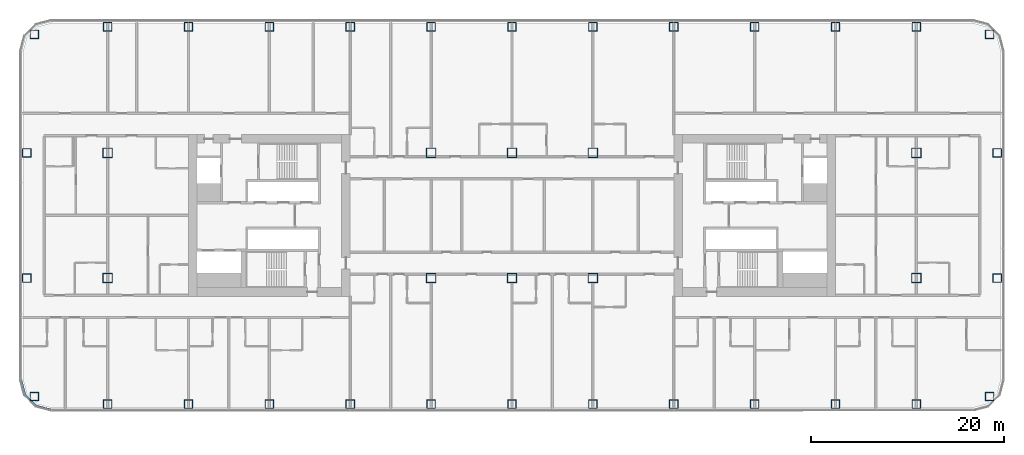
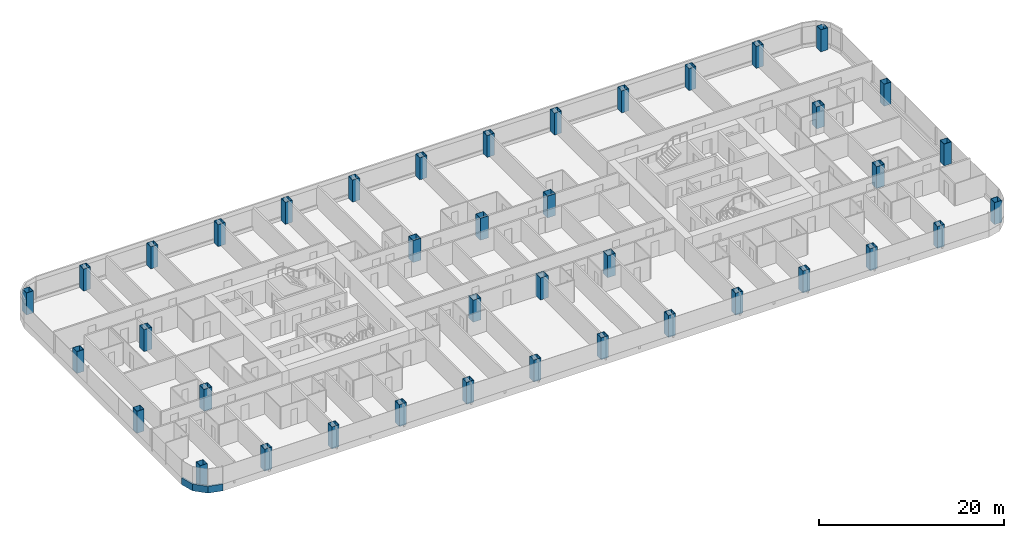
# One storey, part 1 of 29: 40 columns, 1 member, 1 element without a shape of its own.
"""IFC4 building model written with IfcOpenShell, lengths in metres."""

from ifc_helpers import new_model, si_unit, direction, frame, origin, origin_2d, place, context, subcontext, project, spatial, polyline, rectangle, hollow_rectangle, outline, extrude, material, layer, layer_set, material_profile, profile_set, type_object, element, aggregate, save


model = new_model("IFC4")

# Units and contexts
model_context = context("Model", 3, precision=1e-05, world=origin(), true_north=direction((0.0, 1.0)))
body_context = subcontext(model_context, "Body", "Model", "MODEL_VIEW")
ifc_project = project(units=[si_unit("LENGTHUNIT", "METRE"), si_unit("AREAUNIT", "SQUARE_METRE"), si_unit("VOLUMEUNIT", "CUBIC_METRE"), si_unit("PLANEANGLEUNIT", "RADIAN"), si_unit("MASSUNIT", "GRAM", prefix="KILO")], contexts=[model_context])

# Site, building, storey
site_placement = place(None, origin())
site = spatial("IfcSite", under=ifc_project, at=site_placement, CompositionType="ELEMENT")
building_placement = place(site_placement, origin())
building = spatial("IfcBuilding", under=site, at=building_placement, Name="Hakoniwa Tower and Hamabe Station Hall", CompositionType="ELEMENT")
storey_placement = place(building_placement, frame((0.0, 0.0, 61.39990234375)))
storey = spatial("IfcBuildingStorey", under=building, at=storey_placement, Name="L17", CompositionType="ELEMENT", Elevation=61.39990234375)

# Columns
ifc_material_1 = material(Name="Steel SN490C", Category="steel")
ifc_material_profile_1 = material_profile(ifc_material_1, hollow_rectangle(XDim=1.0, YDim=1.0, WallThickness=0.0400390625, at=origin_2d()), Name="BX-1000x1000x40")
ifc_profile_set_1 = profile_set([ifc_material_profile_1], Name="Steel SN490C")
column_type_1 = type_object("IfcColumnType", Name="COLUMN BX-1000x1000x40", PredefinedType="COLUMN", material=ifc_profile_set_1)
for number, where, z_axis, x_axis, name in (
    (1, (-42.0, -6.5, 0.0), (0.0, 0.0, 1.0), (1.0, 0.0, 0.0), "Column B1-2-C1"),
    (2, (-42.0, 6.5, 0.0), (0.0, 0.0, 1.0), (1.0, 0.0, 0.0), "Column B1-2-E1"),
    (3, (-8.39990234375, -6.5, 0.0), (0.0, 0.0, 1.0), (1.0, 0.0, 0.0), "Column B1-6-C1"),
    (4, (-8.39990234375, 6.5, 0.0), (0.0, 0.0, 1.0), (1.0, 0.0, 0.0), "Column B1-6-E1"),
    (5, (0.0, -6.5, 0.0), (0.0, 0.0, 1.0), (1.0, 0.0, 0.0), "Column B1-7-C1"),
    (6, (0.0, 6.5, 0.0), (0.0, 0.0, 1.0), (1.0, 0.0, 0.0), "Column B1-7-E1"),
    (7, (8.39990234375, -6.5, 0.0), (0.0, 0.0, 1.0), (1.0, 0.0, 0.0), "Column B1-8-C1"),
    (8, (8.39990234375, 6.5, 0.0), (0.0, 0.0, 1.0), (1.0, 0.0, 0.0), "Column B1-8-E1"),
    (9, (42.0, -6.5, 0.0), (0.0, 0.0, 1.0), (1.0, 0.0, 0.0), "Column B1-12-C1"),
    (10, (42.0, 6.5, 0.0), (0.0, 0.0, 1.0), (1.0, 0.0, 0.0), "Column B1-12-E1"),
):
    element("IfcColumn", number, at=place(storey_placement, frame(where, z_axis=z_axis, x_axis=x_axis)), inside=storey, type_object=column_type_1, Name=name, PredefinedType="COLUMN", context=body_context, shape_type="SweptSolid", body=[
        extrude(hollow_rectangle(XDim=1.0, YDim=1.0, WallThickness=0.0400390625, at=origin_2d()), origin(), (0.0, 0.0, 1.0), 2.900146484375),
    ])
ifc_material_2 = material(Name="Steel SN490C", Category="steel")
ifc_material_profile_2 = material_profile(ifc_material_2, hollow_rectangle(XDim=0.89990234375, YDim=0.89990234375, WallThickness=0.035888671875, at=origin_2d()), Name="BX-900x900x36")
ifc_profile_set_2 = profile_set([ifc_material_profile_2], Name="Steel SN490C")
column_type_2 = type_object("IfcColumnType", Name="COLUMN BX-900x900x36", PredefinedType="COLUMN", material=ifc_profile_set_2)
for number, where, z_axis, x_axis, name in (
    (11, (-49.60302734375, -18.802978515625, 0.0), (0.0, 0.0, 1.0), (1.0, 0.0, 0.0), "Column B1-1-A1"),
    (12, (-50.39990234375, -6.5, 0.0), (0.0, 0.0, 1.0), (1.0, 0.0, 0.0), "Column B1-1-C1"),
    (13, (-50.39990234375, 6.5, 0.0), (0.0, 0.0, 1.0), (1.0, 0.0, 0.0), "Column B1-1-E1"),
    (14, (-49.60302734375, 18.802978515625, 0.0), (0.0, 0.0, 1.0), (1.0, 0.0, 0.0), "Column B1-1-G1"),
    (15, (-42.0, -19.60009765625, 0.0), (0.0, 0.0, 1.0), (1.0, 0.0, 0.0), "Column B1-2-A1"),
    (16, (-42.0, 19.60009765625, 0.0), (0.0, 0.0, 1.0), (1.0, 0.0, 0.0), "Column B1-2-G1"),
    (17, (-33.60009765625, -19.60009765625, 0.0), (0.0, 0.0, 1.0), (1.0, 0.0, 0.0), "Column B1-3-A1"),
    (18, (-33.60009765625, 19.60009765625, 0.0), (0.0, 0.0, 1.0), (1.0, 0.0, 0.0), "Column B1-3-G1"),
    (19, (-25.199951171875, -19.60009765625, 0.0), (0.0, 0.0, 1.0), (1.0, 0.0, 0.0), "Column B1-4-A1"),
    (20, (-25.199951171875, 19.60009765625, 0.0), (0.0, 0.0, 1.0), (1.0, 0.0, 0.0), "Column B1-4-G1"),
    (21, (-16.800048828125, -19.60009765625, 0.0), (0.0, 0.0, 1.0), (1.0, 0.0, 0.0), "Column B1-5-A1"),
    (22, (-16.800048828125, 19.60009765625, 0.0), (0.0, 0.0, 1.0), (1.0, 0.0, 0.0), "Column B1-5-G1"),
    (23, (-8.39990234375, -19.60009765625, 0.0), (0.0, 0.0, 1.0), (1.0, 0.0, 0.0), "Column B1-6-A1"),
    (24, (-8.39990234375, 19.60009765625, 0.0), (0.0, 0.0, 1.0), (1.0, 0.0, 0.0), "Column B1-6-G1"),
    (25, (0.0, -19.60009765625, 0.0), (0.0, 0.0, 1.0), (1.0, 0.0, 0.0), "Column B1-7-A1"),
    (26, (0.0, 19.60009765625, 0.0), (0.0, 0.0, 1.0), (1.0, 0.0, 0.0), "Column B1-7-G1"),
    (27, (8.39990234375, -19.60009765625, 0.0), (0.0, 0.0, 1.0), (1.0, 0.0, 0.0), "Column B1-8-A1"),
    (28, (8.39990234375, 19.60009765625, 0.0), (0.0, 0.0, 1.0), (1.0, 0.0, 0.0), "Column B1-8-G1"),
    (29, (16.800048828125, -19.60009765625, 0.0), (0.0, 0.0, 1.0), (1.0, 0.0, 0.0), "Column B1-9-A1"),
    (30, (16.800048828125, 19.60009765625, 0.0), (0.0, 0.0, 1.0), (1.0, 0.0, 0.0), "Column B1-9-G1"),
    (31, (25.199951171875, -19.60009765625, 0.0), (0.0, 0.0, 1.0), (1.0, 0.0, 0.0), "Column B1-10-A1"),
    (32, (25.199951171875, 19.60009765625, 0.0), (0.0, 0.0, 1.0), (1.0, 0.0, 0.0), "Column B1-10-G1"),
    (33, (33.60009765625, -19.60009765625, 0.0), (0.0, 0.0, 1.0), (1.0, 0.0, 0.0), "Column B1-11-A1"),
    (34, (33.60009765625, 19.60009765625, 0.0), (0.0, 0.0, 1.0), (1.0, 0.0, 0.0), "Column B1-11-G1"),
    (35, (42.0, -19.60009765625, 0.0), (0.0, 0.0, 1.0), (1.0, 0.0, 0.0), "Column B1-12-A1"),
    (36, (42.0, 19.60009765625, 0.0), (0.0, 0.0, 1.0), (1.0, 0.0, 0.0), "Column B1-12-G1"),
    (37, (49.60302734375, -18.802978515625, 0.0), (0.0, 0.0, 1.0), (1.0, 0.0, 0.0), "Column B1-13-A1"),
    (38, (50.39990234375, -6.5, 0.0), (0.0, 0.0, 1.0), (1.0, 0.0, 0.0), "Column B1-13-C1"),
    (39, (50.39990234375, 6.5, 0.0), (0.0, 0.0, 1.0), (1.0, 0.0, 0.0), "Column B1-13-E1"),
    (40, (49.60302734375, 18.802978515625, 0.0), (0.0, 0.0, 1.0), (1.0, 0.0, 0.0), "Column B1-13-G1"),
):
    element("IfcColumn", number, at=place(storey_placement, frame(where, z_axis=z_axis, x_axis=x_axis)), inside=storey, type_object=column_type_2, Name=name, PredefinedType="COLUMN", context=body_context, shape_type="SweptSolid", body=[
        extrude(hollow_rectangle(XDim=0.89990234375, YDim=0.89990234375, WallThickness=0.035888671875, at=origin_2d()), origin(), (0.0, 0.0, 1.0), 2.900146484375),
    ])

# Curtain wall, member
ifc_material_3 = material(Name="Dark low-e laminated glass", Category="glass")
ifc_layer = layer(ifc_material_3, 0.199951171875)
ifc_layer_set = layer_set([ifc_layer], Name="CW-1 UNITISED GUEST")
curtain_wall_type = type_object("IfcCurtainWallType", Name="CW-1 UNITISED GUEST", PredefinedType="NOTDEFINED", material=ifc_layer_set)
curtain_wall_placement = place(storey_placement, origin())
curtain_wall = element("IfcCurtainWall", 41, at=curtain_wall_placement, inside=storey, type_object=curtain_wall_type, Name="CW-1 curtain wall", PredefinedType="NOTDEFINED")
ifc_material_4 = material(Name="Aluminium 6063-T5 black anodised", Category="aluminium")
ifc_material_profile_3 = material_profile(ifc_material_4, rectangle(XDim=0.199951171875, YDim=0.89990234375, at=origin_2d()), Name="CW SLAB-EDGE BAND 900X200")
ifc_profile_set_3 = profile_set([ifc_material_profile_3], Name="Aluminium 6063-T5 black anodised")
member_type = type_object("IfcMemberType", Name="CW SLAB-EDGE BAND 900X200", PredefinedType="USERDEFINED", material=ifc_profile_set_3)
member_placement = place(storey_placement, frame((0.0, 0.0, -0.5498046875)))
member = element("IfcMember", 42, at=member_placement, type_object=member_type, Name="CW-1 transom", ObjectType="TRANSOM", PredefinedType="USERDEFINED", context=body_context, shape_type="SweptSolid", body=[
    extrude(outline(polyline([(-51.10009765625, -17.03955078125), (-50.6669921875, -18.6552734375), (-49.455322265625, -19.866943359375), (-47.839599609375, -20.300048828125), (-47.787841796875, -20.10693359375), (-49.351806640625, -19.687744140625), (-50.48779296875, -18.5517578125), (-50.90673828125, -16.98779296875), (-51.10009765625, -17.03955078125)])), origin(), (0.0, 0.0, 1.0), 0.89990234375),
])
aggregate(curtain_wall, [member])

save(model, "model.ifc")
